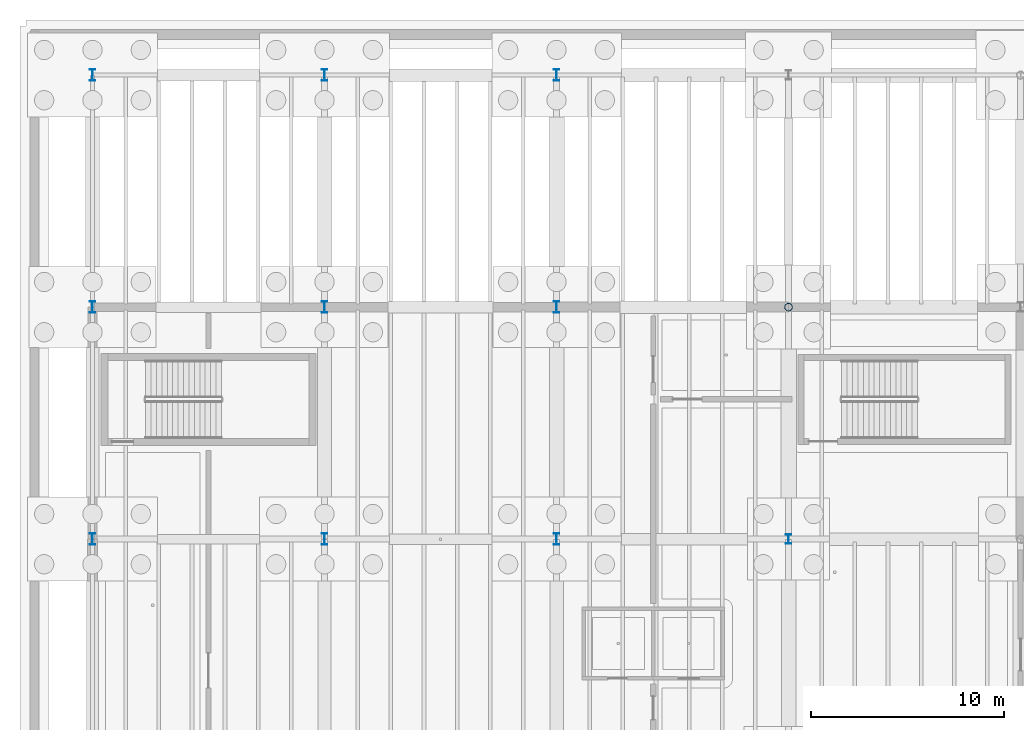
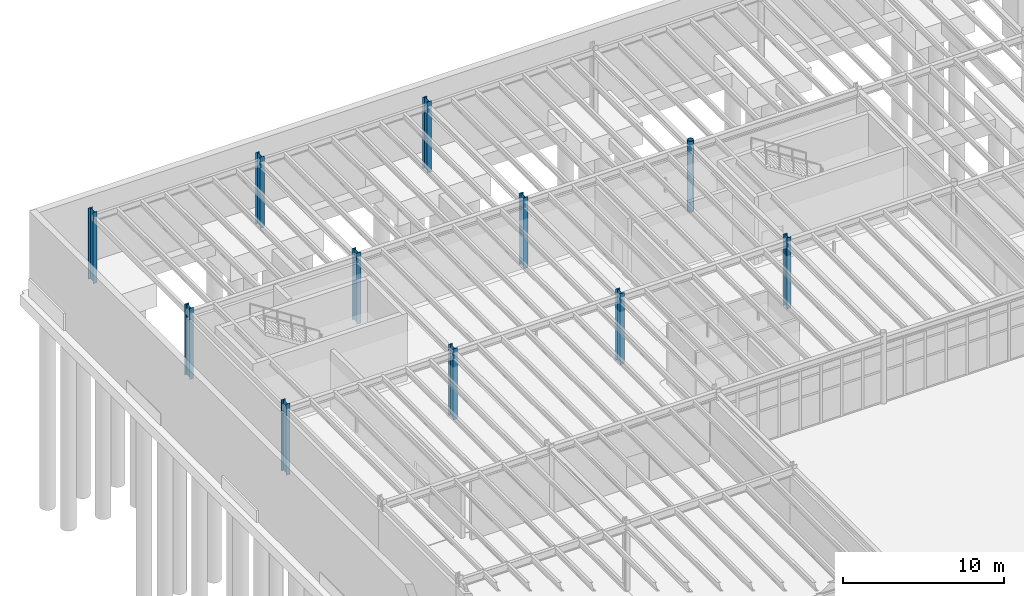
# One storey, part 14 of 67: 11 columns.
"""IFC4 building model written with IfcOpenShell, lengths in metres."""

from ifc_helpers import new_model, si_unit, direction, frame, origin, origin_2d, place, context, subcontext, project, spatial, hollow_circle, i_section, extrude, material, material_profile, profile_set, type_object, element, save


model = new_model("IFC4")

# Units and contexts
model_context = context("Model", 3, precision=1e-05, world=origin(), true_north=direction((0.0, 1.0)))
body_context = subcontext(model_context, "Body", "Model", "MODEL_VIEW")
ifc_project = project(units=[si_unit("LENGTHUNIT", "METRE"), si_unit("AREAUNIT", "SQUARE_METRE"), si_unit("VOLUMEUNIT", "CUBIC_METRE"), si_unit("PLANEANGLEUNIT", "RADIAN"), si_unit("MASSUNIT", "GRAM", prefix="KILO")], contexts=[model_context])

# Site, building, storey
site_placement = place(None, origin())
site = spatial("IfcSite", under=ifc_project, at=site_placement, CompositionType="ELEMENT")
building_placement = place(site_placement, origin())
building = spatial("IfcBuilding", under=site, at=building_placement, Name="Zlatogorsky Bluff Art Gallery", CompositionType="ELEMENT")
storey_placement = place(building_placement, frame((0.0, 0.0, -5.39990234375)))
storey = spatial("IfcBuildingStorey", under=building, at=storey_placement, Name="B1", CompositionType="ELEMENT", Elevation=-5.39990234375)

# Columns
ifc_material = material(Name="Steel S355", Category="steel")
ifc_material_profile_1 = material_profile(ifc_material, i_section(OverallWidth=0.300048828125, OverallDepth=0.60009765625, WebThickness=0.015380859375, FlangeThickness=0.030029296875, FilletRadius=0.027099609375, at=origin_2d()), Name="HEB 600")
ifc_profile_set_1 = profile_set([ifc_material_profile_1], Name="Steel S355")
column_type_1 = type_object("IfcColumnType", Name="Column CL-01 HEB 600", PredefinedType="COLUMN", material=ifc_profile_set_1)
for number, where, z_axis, x_axis, name in (
    (1, (0.0, 96.0, 0.0), (0.0, 0.0, 1.0), (1.0, 0.0, 0.0), "Column CL-01 B1 A10"),
    (2, (0.0, 108.0, 0.0), (0.0, 0.0, 1.0), (1.0, 0.0, 0.0), "Column CL-01 B1 A11"),
    (3, (0.0, 120.0, 0.0), (0.0, 0.0, 1.0), (1.0, 0.0, 0.0), "Column CL-01 B1 A12"),
    (4, (12.0, 96.0, 0.0), (0.0, 0.0, 1.0), (1.0, 0.0, 0.0), "Column CL-01 B1 B10"),
    (5, (12.0, 108.0, 0.0), (0.0, 0.0, 1.0), (1.0, 0.0, 0.0), "Column CL-01 B1 B11"),
    (6, (12.0, 120.0, 0.0), (0.0, 0.0, 1.0), (1.0, 0.0, 0.0), "Column CL-01 B1 B12"),
    (7, (24.0, 96.0, 0.0), (0.0, 0.0, 1.0), (1.0, 0.0, 0.0), "Column CL-01 B1 C10"),
    (8, (24.0, 108.0, 0.0), (0.0, 0.0, 1.0), (1.0, 0.0, 0.0), "Column CL-01 B1 C11"),
    (9, (24.0, 120.0, 0.0), (0.0, 0.0, 1.0), (1.0, 0.0, 0.0), "Column CL-01 B1 C12"),
):
    element("IfcColumn", number, at=place(storey_placement, frame(where, z_axis=z_axis, x_axis=x_axis)), inside=storey, type_object=column_type_1, Name=name, PredefinedType="COLUMN", context=body_context, shape_type="SweptSolid", body=[
        extrude(i_section(OverallWidth=0.300048828125, OverallDepth=0.60009765625, WebThickness=0.015380859375, FlangeThickness=0.030029296875, FilletRadius=0.027099609375, at=origin_2d()), origin(), (0.0, 0.0, 1.0), 5.39990234375),
    ])
ifc_material_profile_2 = material_profile(ifc_material, i_section(OverallWidth=0.300048828125, OverallDepth=0.5, WebThickness=0.014404296875, FlangeThickness=0.028076171875, FilletRadius=0.027099609375, at=origin_2d()), Name="HEB 500")
ifc_profile_set_2 = profile_set([ifc_material_profile_2], Name="Steel S355")
column_type_2 = type_object("IfcColumnType", Name="Column CL-02 HEB 500", PredefinedType="COLUMN", material=ifc_profile_set_2)
column_1_placement = place(storey_placement, frame((36.0, 96.0, 0.0), z_axis=(0.0, 0.0, 1.0), x_axis=(1.0, 0.0, 0.0)))
element("IfcColumn", 10, at=column_1_placement, inside=storey, type_object=column_type_2, Name="Column CL-02 B1 D10", PredefinedType="COLUMN", context=body_context, shape_type="SweptSolid", body=[
    extrude(i_section(OverallWidth=0.300048828125, OverallDepth=0.5, WebThickness=0.014404296875, FlangeThickness=0.028076171875, FilletRadius=0.027099609375, at=origin_2d()), origin(), (0.0, 0.0, 1.0), 5.39990234375),
])
ifc_material_profile_3 = material_profile(ifc_material, hollow_circle(Radius=0.203125, WallThickness=0.01611328125, at=origin_2d()), Name="CHS 406.4x16")
ifc_profile_set_3 = profile_set([ifc_material_profile_3], Name="Steel S355")
column_type_3 = type_object("IfcColumnType", Name="Column CL-09 CHS 406.4x16", PredefinedType="COLUMN", material=ifc_profile_set_3)
column_2_placement = place(storey_placement, frame((36.0, 108.0, 0.0), z_axis=(0.0, 0.0, 1.0), x_axis=(1.0, 0.0, 0.0)))
element("IfcColumn", 11, at=column_2_placement, inside=storey, type_object=column_type_3, Name="Column CL-09 B1 D11", PredefinedType="COLUMN", context=body_context, shape_type="SweptSolid", body=[
    extrude(hollow_circle(Radius=0.203125, WallThickness=0.01611328125, at=origin_2d()), origin(), (0.0, 0.0, 1.0), 5.39990234375),
])

save(model, "model.ifc")
